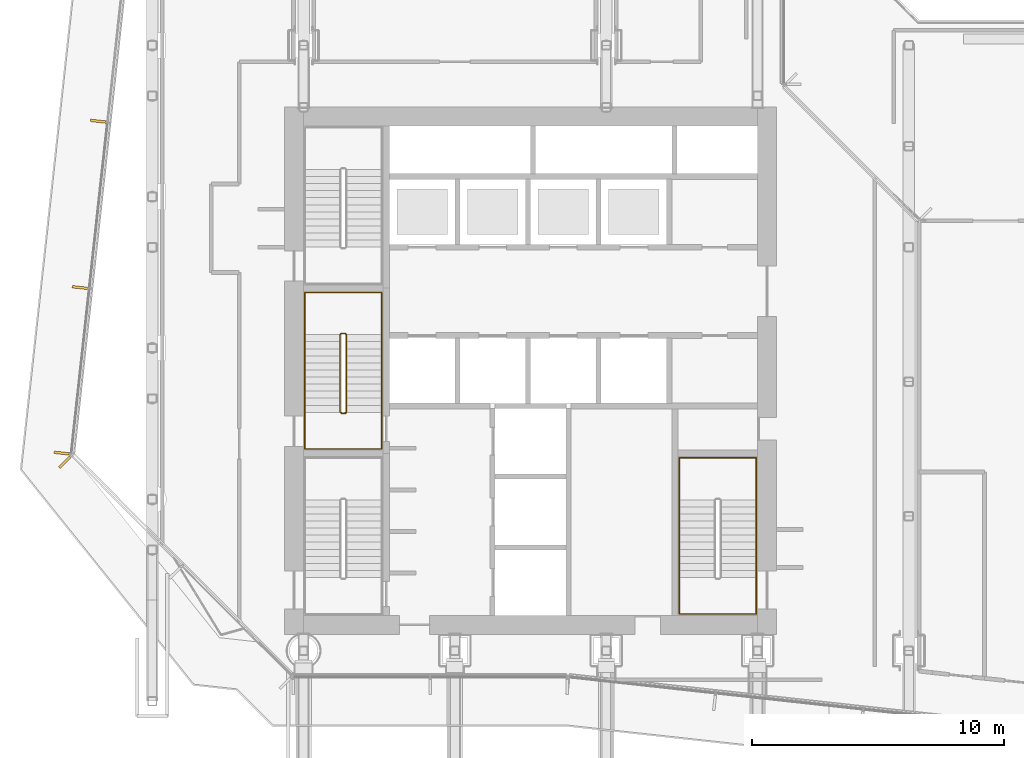
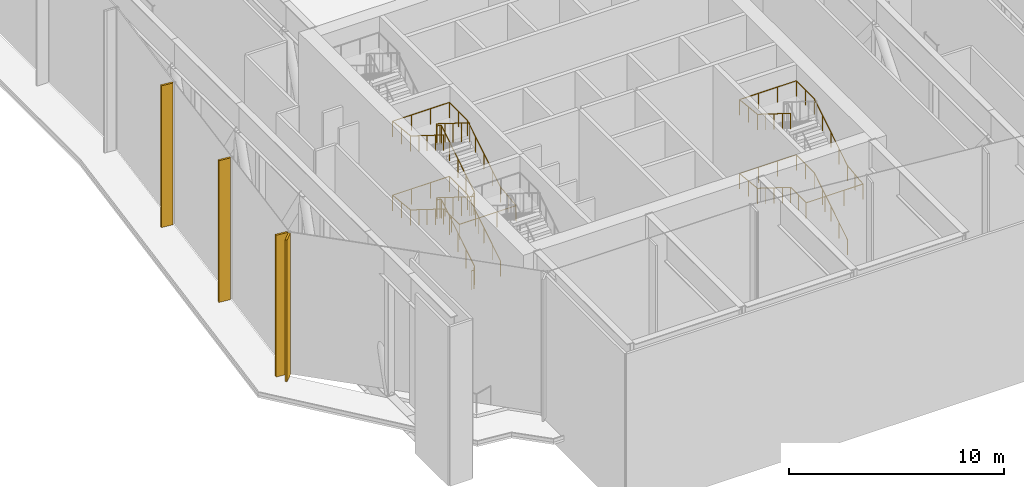
# One storey, part 19 of 24: 4 coverings, 3 railings.
"""IFC4 building model written with IfcOpenShell, lengths in metres."""

from ifc_helpers import new_model, si_unit, direction, frame, origin, origin_2d, place, context, subcontext, project, spatial, rectangle, circle, extrude, material, layer, layer_set, type_object, element, save


model = new_model("IFC4")

# Units and contexts
model_context = context("Model", 3, precision=1e-05, world=origin(), true_north=direction((0.0, 1.0)))
body_context = subcontext(model_context, "Body", "Model", "MODEL_VIEW")
ifc_project = project(units=[si_unit("LENGTHUNIT", "METRE"), si_unit("AREAUNIT", "SQUARE_METRE"), si_unit("VOLUMEUNIT", "CUBIC_METRE"), si_unit("PLANEANGLEUNIT", "RADIAN"), si_unit("MASSUNIT", "GRAM", prefix="KILO")], contexts=[model_context])

# Site, building, storey
site_placement = place(None, origin())
site = spatial("IfcSite", under=ifc_project, at=site_placement, CompositionType="ELEMENT")
building_placement = place(site_placement, origin())
building = spatial("IfcBuilding", under=site, at=building_placement, Name="Welwitschia Terrace Campus", CompositionType="ELEMENT")
storey_placement = place(building_placement, frame((0.0, 0.0, 138.199951171875)))
storey = spatial("IfcBuildingStorey", under=building, at=storey_placement, Name="L31", CompositionType="ELEMENT", Elevation=138.199951171875)

# Coverings
ifc_material_1 = material(Name="Bronze anodised aluminium", Category="aluminium")
ifc_layer = layer(ifc_material_1, 0.10009765625)
ifc_layer_set = layer_set([ifc_layer], Name="Bronze anodised aluminium")
covering_type = type_object("IfcCoveringType", Name="Bronze fin 100x600", PredefinedType="USERDEFINED", material=ifc_layer_set)
for number, where, z_axis, x_axis, name in (
    (1, (-3.465087890625, 11.472900390625, 0.0), (0.0, 0.0, 1.0), (0.705668480018, -0.70854216269, 0.0), "Fin L31.0.0"),
    (2, (-2.14990234375, 24.994384765625, 0.0), (0.0, 0.0, 1.0), (-0.108866874852, -0.994056338222, 0.0), "Fin L31.14.1"),
    (3, (-2.872314453125, 18.39892578125, 0.0), (0.0, 0.0, 1.0), (-0.108866874852, -0.994056338222, 0.0), "Fin L31.14.2"),
    (4, (-3.59130859375, 11.83349609375, 0.0), (0.0, 0.0, 1.0), (-0.108866874852, -0.994056338222, 0.0), "Fin L31.14.3"),
):
    element("IfcCovering", number, at=place(storey_placement, frame(where, z_axis=z_axis, x_axis=x_axis)), inside=storey, type_object=covering_type, Name=name, ObjectType="FIN", PredefinedType="USERDEFINED", context=body_context, shape_type="SweptSolid", body=[
        extrude(rectangle(XDim=0.10009765625, YDim=0.60009765625, at=origin_2d()), origin(), (0.0, 0.0, 1.0), 8.050048828125),
    ])

# Railings
ifc_material_2 = material(Name="Steel S355", Category="steel")
railing_type_1 = type_object("IfcRailingType", Name="Stair guard 1100", PredefinedType="GUARDRAIL", material=ifc_material_2)
railing_1_placement = place(storey_placement, frame((7.5, 13.39990234375, 0.0)))
element("IfcRailing", 5, at=railing_1_placement, inside=storey, type_object=railing_type_1, Name="L31 S3 stair guard", PredefinedType="GUARDRAIL", context=body_context, shape_type="SweptSolid", body=[
    extrude(circle(Radius=0.02392578125, at=origin_2d()), frame((0.0, 0.0, 1.076171875), z_axis=(1.0, 0.0, 0.0), x_axis=(0.0, 1.0, 0.0)), (0.0, 0.0, 1.0), 0.14990234375),
    extrude(circle(Radius=0.02392578125, at=origin_2d()), frame((0.14990234375, 0.0, 1.076171875), z_axis=(0.265065253269, 0.265065253269, 0.927081885822), x_axis=(-0.707106781187, 0.707106781187, 0.0)), (0.0, 0.0, 1.0), 0.188720703125),
    extrude(circle(Radius=0.02392578125, at=origin_2d()), frame((0.199951171875, 0.050048828125, 1.2509765625), z_axis=(0.0, 0.847998304005, 0.529998940003), x_axis=(-1.0, 0.0, 0.0)), (0.0, 0.0, 1.0), 3.632080078125),
    extrude(circle(Radius=0.02392578125, at=origin_2d()), frame((0.199951171875, 3.130126953125, 3.17626953125), z_axis=(-0.707106781187, 0.707106781187, 0.0), x_axis=(-0.707106781187, -0.707106781187, 0.0)), (0.0, 0.0, 1.0), 0.07080078125),
    extrude(circle(Radius=0.02392578125, at=origin_2d()), frame((0.14990234375, 3.18017578125, 3.17626953125), z_axis=(-1.0, 0.0, 0.0), x_axis=(0.0, -1.0, 0.0)), (0.0, 0.0, 1.0), 0.14990234375),
    extrude(circle(Radius=0.02392578125, at=origin_2d()), frame((0.0, 3.18017578125, 3.17626953125), z_axis=(-0.265065253269, -0.265065253269, 0.927081885822), x_axis=(0.707106781187, -0.707106781187, 0.0)), (0.0, 0.0, 1.0), 0.188720703125),
    extrude(circle(Radius=0.02392578125, at=origin_2d()), frame((-0.050048828125, 3.130126953125, 3.35107421875), z_axis=(0.0, -0.848028513186, 0.529950602248), x_axis=(1.0, 0.0, 0.0)), (0.0, 0.0, 1.0), 3.632080078125),
    extrude(circle(Radius=0.02392578125, at=origin_2d()), frame((-0.050048828125, 0.050048828125, 5.27587890625), z_axis=(0.970072785993, -0.242814311512, 0.0), x_axis=(0.242814311512, 0.970072785993, 0.0)), (0.0, 0.0, 1.0), 0.2060546875),
    extrude(circle(Radius=0.02392578125, at=origin_2d()), frame((0.14990234375, 0.0, 5.27587890625), z_axis=(-1.0, 0.0, 0.0), x_axis=(0.0, -1.0, 0.0)), (0.0, 0.0, 1.0), 0.14990234375),
    extrude(circle(Radius=0.02392578125, at=origin_2d()), frame((0.0, 0.0, 5.27587890625), z_axis=(0.739407315901, 0.185077533284, 0.647319957877), x_axis=(-0.242814311512, 0.970072785993, 0.0)), (0.0, 0.0, 1.0), 0.2705078125),
    extrude(circle(Radius=0.02392578125, at=origin_2d()), frame((0.199951171875, 0.050048828125, 5.451171875), z_axis=(0.0, 0.847998304005, 0.529998940003), x_axis=(-1.0, 0.0, 0.0)), (0.0, 0.0, 1.0), 3.632080078125),
    extrude(circle(Radius=0.02392578125, at=origin_2d()), frame((0.199951171875, 3.130126953125, 7.3759765625), z_axis=(-0.707106781187, 0.707106781187, 0.0), x_axis=(-0.707106781187, -0.707106781187, 0.0)), (0.0, 0.0, 1.0), 0.07080078125),
    extrude(circle(Radius=0.02392578125, at=origin_2d()), frame((0.14990234375, 3.18017578125, 7.3759765625), z_axis=(-1.0, 0.0, 0.0), x_axis=(0.0, -1.0, 0.0)), (0.0, 0.0, 1.0), 0.14990234375),
    extrude(circle(Radius=0.02392578125, at=origin_2d()), frame((0.0, 3.18017578125, 7.3759765625), z_axis=(-0.265065253269, -0.265065253269, 0.927081885822), x_axis=(0.707106781187, -0.707106781187, 0.0)), (0.0, 0.0, 1.0), 0.188720703125),
    extrude(circle(Radius=0.02392578125, at=origin_2d()), frame((-0.050048828125, 3.130126953125, 7.55126953125), z_axis=(0.0, -0.847998304005, 0.529998940003), x_axis=(1.0, 0.0, 0.0)), (0.0, 0.0, 1.0), 3.632080078125),
    extrude(circle(Radius=0.02099609375, at=origin_2d()), origin(), (0.0, 0.0, 1.0), 1.052001953125),
    extrude(circle(Radius=0.02099609375, at=origin_2d()), frame((0.14990234375, 0.0, 0.0)), (0.0, 0.0, 1.0), 1.052001953125),
    extrude(circle(Radius=0.02099609375, at=origin_2d()), frame((0.199951171875, 0.050048828125, 0.175048828125)), (0.0, 0.0, 1.0), 1.052001953125),
    extrude(circle(Radius=0.02099609375, at=origin_2d()), frame((0.199951171875, 0.820068359375, 0.65625)), (0.0, 0.0, 1.0), 1.052001953125),
    extrude(circle(Radius=0.02099609375, at=origin_2d()), frame((0.199951171875, 1.590087890625, 1.1376953125)), (0.0, 0.0, 1.0), 1.052001953125),
    extrude(circle(Radius=0.02099609375, at=origin_2d()), frame((0.199951171875, 2.360107421875, 1.618896484375)), (0.0, 0.0, 1.0), 1.052001953125),
    extrude(circle(Radius=0.02099609375, at=origin_2d()), frame((0.199951171875, 3.130126953125, 2.10009765625)), (0.0, 0.0, 1.0), 1.052001953125),
    extrude(circle(Radius=0.02099609375, at=origin_2d()), frame((0.14990234375, 3.18017578125, 2.10009765625)), (0.0, 0.0, 1.0), 1.052001953125),
    extrude(circle(Radius=0.02099609375, at=origin_2d()), frame((0.0, 3.18017578125, 2.10009765625)), (0.0, 0.0, 1.0), 1.052001953125),
    extrude(circle(Radius=0.02099609375, at=origin_2d()), frame((-0.050048828125, 3.130126953125, 2.275146484375)), (0.0, 0.0, 1.0), 1.052001953125),
    extrude(circle(Radius=0.02099609375, at=origin_2d()), frame((-0.050048828125, 2.360107421875, 2.75634765625)), (0.0, 0.0, 1.0), 1.052001953125),
    extrude(circle(Radius=0.02099609375, at=origin_2d()), frame((-0.050048828125, 1.590087890625, 3.237548828125)), (0.0, 0.0, 1.0), 1.052001953125),
    extrude(circle(Radius=0.02099609375, at=origin_2d()), frame((-0.050048828125, 0.820068359375, 3.71875)), (0.0, 0.0, 1.0), 1.052001953125),
    extrude(circle(Radius=0.02099609375, at=origin_2d()), frame((-0.050048828125, 0.050048828125, 4.199951171875)), (0.0, 0.0, 1.0), 1.052001953125),
    extrude(circle(Radius=0.02099609375, at=origin_2d()), frame((0.14990234375, 0.0, 4.199951171875)), (0.0, 0.0, 1.0), 1.052001953125),
    extrude(circle(Radius=0.02099609375, at=origin_2d()), frame((0.0, 0.0, 4.199951171875)), (0.0, 0.0, 1.0), 1.052001953125),
    extrude(circle(Radius=0.02099609375, at=origin_2d()), frame((0.199951171875, 0.050048828125, 4.375)), (0.0, 0.0, 1.0), 1.052001953125),
    extrude(circle(Radius=0.02099609375, at=origin_2d()), frame((0.199951171875, 0.820068359375, 4.856201171875)), (0.0, 0.0, 1.0), 1.052001953125),
    extrude(circle(Radius=0.02099609375, at=origin_2d()), frame((0.199951171875, 1.590087890625, 5.33740234375)), (0.0, 0.0, 1.0), 1.052001953125),
    extrude(circle(Radius=0.02099609375, at=origin_2d()), frame((0.199951171875, 2.360107421875, 5.81884765625)), (0.0, 0.0, 1.0), 1.052001953125),
    extrude(circle(Radius=0.02099609375, at=origin_2d()), frame((0.199951171875, 3.130126953125, 6.300048828125)), (0.0, 0.0, 1.0), 1.052001953125),
    extrude(circle(Radius=0.02099609375, at=origin_2d()), frame((0.14990234375, 3.18017578125, 6.300048828125)), (0.0, 0.0, 1.0), 1.052001953125),
    extrude(circle(Radius=0.02099609375, at=origin_2d()), frame((0.0, 3.18017578125, 6.300048828125)), (0.0, 0.0, 1.0), 1.052001953125),
    extrude(circle(Radius=0.02099609375, at=origin_2d()), frame((-0.050048828125, 3.130126953125, 6.47509765625)), (0.0, 0.0, 1.0), 1.052001953125),
    extrude(circle(Radius=0.02099609375, at=origin_2d()), frame((-0.050048828125, 2.360107421875, 6.956298828125)), (0.0, 0.0, 1.0), 1.052001953125),
    extrude(circle(Radius=0.02099609375, at=origin_2d()), frame((-0.050048828125, 1.590087890625, 7.4375)), (0.0, 0.0, 1.0), 1.052001953125),
    extrude(circle(Radius=0.02099609375, at=origin_2d()), frame((-0.050048828125, 0.820068359375, 7.9189453125)), (0.0, 0.0, 1.0), 1.052001953125),
    extrude(circle(Radius=0.02099609375, at=origin_2d()), frame((-0.050048828125, 0.050048828125, 8.400146484375)), (0.0, 0.0, 1.0), 1.052001953125),
])
ifc_material_3 = material(Name="Steel S355", Category="steel")
railing_type_2 = type_object("IfcRailingType", Name="Stair handrail 900", PredefinedType="HANDRAIL", material=ifc_material_3)
railing_2_placement = place(storey_placement, frame((9.10009765625, 13.449951171875, 0.175048828125)))
element("IfcRailing", 6, at=railing_2_placement, inside=storey, type_object=railing_type_2, Name="L31 S3 stair handrail", PredefinedType="HANDRAIL", context=body_context, shape_type="SweptSolid", body=[
    extrude(circle(Radius=0.02392578125, at=origin_2d()), frame((0.0, 0.0, 0.8759765625), z_axis=(0.0, 0.847998304005, 0.529998940003), x_axis=(-1.0, 0.0, 0.0)), (0.0, 0.0, 1.0), 3.632080078125),
    extrude(circle(Radius=0.02392578125, at=origin_2d()), frame((0.0, 3.080078125, 2.80078125), z_axis=(0.0, 1.0, 0.0), x_axis=(-1.0, 0.0, 0.0)), (0.0, 0.0, 1.0), 1.669921875),
    extrude(circle(Radius=0.02392578125, at=origin_2d()), frame((0.0, 4.75, 2.80078125), z_axis=(-1.0, 0.0, 0.0), x_axis=(0.0, -1.0, 0.0)), (0.0, 0.0, 1.0), 3.050048828125),
    extrude(circle(Radius=0.02392578125, at=origin_2d()), frame((-3.050048828125, 4.75, 2.80078125), z_axis=(0.0, -0.99455077262, 0.104253348533), x_axis=(1.0, 0.0, 0.0)), (0.0, 0.0, 1.0), 1.678955078125),
    extrude(circle(Radius=0.02392578125, at=origin_2d()), frame((-3.050048828125, 3.080078125, 2.97607421875), z_axis=(0.0, -0.848028513186, 0.529950602248), x_axis=(1.0, 0.0, 0.0)), (0.0, 0.0, 1.0), 3.632080078125),
    extrude(circle(Radius=0.02392578125, at=origin_2d()), frame((-3.050048828125, 0.0, 4.90087890625), z_axis=(0.0, -1.0, 0.0), x_axis=(1.0, 0.0, 0.0)), (0.0, 0.0, 1.0), 1.449951171875),
    extrude(circle(Radius=0.02392578125, at=origin_2d()), frame((-3.050048828125, -1.449951171875, 4.90087890625), z_axis=(1.0, 0.0, 0.0), x_axis=(0.0, 1.0, 0.0)), (0.0, 0.0, 1.0), 3.050048828125),
    extrude(circle(Radius=0.02392578125, at=origin_2d()), frame((0.0, -1.449951171875, 4.90087890625), z_axis=(0.0, 0.992791155251, 0.119857090136), x_axis=(-1.0, 0.0, 0.0)), (0.0, 0.0, 1.0), 1.46044921875),
    extrude(circle(Radius=0.02392578125, at=origin_2d()), frame((0.0, 0.0, 5.07568359375), z_axis=(0.0, 0.847998304005, 0.529998940003), x_axis=(-1.0, 0.0, 0.0)), (0.0, 0.0, 1.0), 3.632080078125),
    extrude(circle(Radius=0.02392578125, at=origin_2d()), frame((0.0, 3.080078125, 7.0009765625), z_axis=(0.0, 1.0, 0.0), x_axis=(-1.0, 0.0, 0.0)), (0.0, 0.0, 1.0), 1.669921875),
    extrude(circle(Radius=0.02392578125, at=origin_2d()), frame((0.0, 4.75, 7.0009765625), z_axis=(-1.0, 0.0, 0.0), x_axis=(0.0, -1.0, 0.0)), (0.0, 0.0, 1.0), 3.050048828125),
    extrude(circle(Radius=0.02392578125, at=origin_2d()), frame((-3.050048828125, 4.75, 7.0009765625), z_axis=(0.0, -0.99455077262, 0.104253348533), x_axis=(1.0, 0.0, 0.0)), (0.0, 0.0, 1.0), 1.678955078125),
    extrude(circle(Radius=0.02392578125, at=origin_2d()), frame((-3.050048828125, 3.080078125, 7.17578125), z_axis=(0.0, -0.847998304005, 0.529998940003), x_axis=(1.0, 0.0, 0.0)), (0.0, 0.0, 1.0), 3.632080078125),
    extrude(circle(Radius=0.02099609375, at=origin_2d()), origin(), (0.0, 0.0, 1.0), 0.851806640625),
    extrude(circle(Radius=0.02099609375, at=origin_2d()), frame((0.0, 0.77001953125, 0.481201171875)), (0.0, 0.0, 1.0), 0.851806640625),
    extrude(circle(Radius=0.02099609375, at=origin_2d()), frame((0.0, 1.5400390625, 0.96240234375)), (0.0, 0.0, 1.0), 0.851806640625),
    extrude(circle(Radius=0.02099609375, at=origin_2d()), frame((0.0, 2.31005859375, 1.44384765625)), (0.0, 0.0, 1.0), 0.851806640625),
    extrude(circle(Radius=0.02099609375, at=origin_2d()), frame((0.0, 3.080078125, 1.925048828125)), (0.0, 0.0, 1.0), 0.851806640625),
    extrude(circle(Radius=0.02099609375, at=origin_2d()), frame((0.0, 3.9150390625, 1.925048828125)), (0.0, 0.0, 1.0), 0.851806640625),
    extrude(circle(Radius=0.02099609375, at=origin_2d()), frame((0.0, 4.75, 1.925048828125)), (0.0, 0.0, 1.0), 0.851806640625),
    extrude(circle(Radius=0.02099609375, at=origin_2d()), frame((-1.0166015625, 4.75, 1.925048828125)), (0.0, 0.0, 1.0), 0.851806640625),
    extrude(circle(Radius=0.02099609375, at=origin_2d()), frame((-2.033447265625, 4.75, 1.925048828125)), (0.0, 0.0, 1.0), 0.851806640625),
    extrude(circle(Radius=0.02099609375, at=origin_2d()), frame((-3.050048828125, 4.75, 1.925048828125)), (0.0, 0.0, 1.0), 0.851806640625),
    extrude(circle(Radius=0.02099609375, at=origin_2d()), frame((-3.050048828125, 3.9150390625, 2.0126953125)), (0.0, 0.0, 1.0), 0.851806640625),
    extrude(circle(Radius=0.02099609375, at=origin_2d()), frame((-3.050048828125, 3.080078125, 2.10009765625)), (0.0, 0.0, 1.0), 0.851806640625),
    extrude(circle(Radius=0.02099609375, at=origin_2d()), frame((-3.050048828125, 2.31005859375, 2.581298828125)), (0.0, 0.0, 1.0), 0.851806640625),
    extrude(circle(Radius=0.02099609375, at=origin_2d()), frame((-3.050048828125, 1.5400390625, 3.0625)), (0.0, 0.0, 1.0), 0.851806640625),
    extrude(circle(Radius=0.02099609375, at=origin_2d()), frame((-3.050048828125, 0.77001953125, 3.543701171875)), (0.0, 0.0, 1.0), 0.851806640625),
    extrude(circle(Radius=0.02099609375, at=origin_2d()), frame((-3.050048828125, 0.0, 4.02490234375)), (0.0, 0.0, 1.0), 0.851806640625),
    extrude(circle(Radius=0.02099609375, at=origin_2d()), frame((-3.050048828125, -0.72509765625, 4.02490234375)), (0.0, 0.0, 1.0), 0.851806640625),
    extrude(circle(Radius=0.02099609375, at=origin_2d()), frame((-3.050048828125, -1.449951171875, 4.02490234375)), (0.0, 0.0, 1.0), 0.851806640625),
    extrude(circle(Radius=0.02099609375, at=origin_2d()), frame((-2.033447265625, -1.449951171875, 4.02490234375)), (0.0, 0.0, 1.0), 0.851806640625),
    extrude(circle(Radius=0.02099609375, at=origin_2d()), frame((-1.0166015625, -1.449951171875, 4.02490234375)), (0.0, 0.0, 1.0), 0.851806640625),
    extrude(circle(Radius=0.02099609375, at=origin_2d()), frame((0.0, -1.449951171875, 4.02490234375)), (0.0, 0.0, 1.0), 0.851806640625),
    extrude(circle(Radius=0.02099609375, at=origin_2d()), frame((0.0, -0.72509765625, 4.1123046875)), (0.0, 0.0, 1.0), 0.851806640625),
    extrude(circle(Radius=0.02099609375, at=origin_2d()), frame((0.0, 0.0, 4.199951171875)), (0.0, 0.0, 1.0), 0.851806640625),
    extrude(circle(Radius=0.02099609375, at=origin_2d()), frame((0.0, 0.77001953125, 4.68115234375)), (0.0, 0.0, 1.0), 0.851806640625),
    extrude(circle(Radius=0.02099609375, at=origin_2d()), frame((0.0, 1.5400390625, 5.16259765625)), (0.0, 0.0, 1.0), 0.851806640625),
    extrude(circle(Radius=0.02099609375, at=origin_2d()), frame((0.0, 2.31005859375, 5.643798828125)), (0.0, 0.0, 1.0), 0.851806640625),
    extrude(circle(Radius=0.02099609375, at=origin_2d()), frame((0.0, 3.080078125, 6.125)), (0.0, 0.0, 1.0), 0.851806640625),
    extrude(circle(Radius=0.02099609375, at=origin_2d()), frame((0.0, 3.9150390625, 6.125)), (0.0, 0.0, 1.0), 0.851806640625),
    extrude(circle(Radius=0.02099609375, at=origin_2d()), frame((0.0, 4.75, 6.125)), (0.0, 0.0, 1.0), 0.851806640625),
    extrude(circle(Radius=0.02099609375, at=origin_2d()), frame((-1.0166015625, 4.75, 6.125)), (0.0, 0.0, 1.0), 0.851806640625),
    extrude(circle(Radius=0.02099609375, at=origin_2d()), frame((-2.033447265625, 4.75, 6.125)), (0.0, 0.0, 1.0), 0.851806640625),
    extrude(circle(Radius=0.02099609375, at=origin_2d()), frame((-3.050048828125, 4.75, 6.125)), (0.0, 0.0, 1.0), 0.851806640625),
    extrude(circle(Radius=0.02099609375, at=origin_2d()), frame((-3.050048828125, 3.9150390625, 6.21240234375)), (0.0, 0.0, 1.0), 0.851806640625),
    extrude(circle(Radius=0.02099609375, at=origin_2d()), frame((-3.050048828125, 3.080078125, 6.300048828125)), (0.0, 0.0, 1.0), 0.851806640625),
    extrude(circle(Radius=0.02099609375, at=origin_2d()), frame((-3.050048828125, 2.31005859375, 6.78125)), (0.0, 0.0, 1.0), 0.851806640625),
    extrude(circle(Radius=0.02099609375, at=origin_2d()), frame((-3.050048828125, 1.5400390625, 7.2626953125)), (0.0, 0.0, 1.0), 0.851806640625),
    extrude(circle(Radius=0.02099609375, at=origin_2d()), frame((-3.050048828125, 0.77001953125, 7.743896484375)), (0.0, 0.0, 1.0), 0.851806640625),
    extrude(circle(Radius=0.02099609375, at=origin_2d()), frame((-3.050048828125, 0.0, 8.22509765625)), (0.0, 0.0, 1.0), 0.851806640625),
])
railing_3_placement = place(storey_placement, frame((23.949951171875, 6.89990234375, 0.175048828125)))
element("IfcRailing", 7, at=railing_3_placement, inside=storey, type_object=railing_type_2, Name="L31 S2 stair handrail", PredefinedType="HANDRAIL", context=body_context, shape_type="SweptSolid", body=[
    extrude(circle(Radius=0.02392578125, at=origin_2d()), frame((0.0, 0.0, 0.8759765625), z_axis=(0.0, 0.847998304005, 0.529998940003), x_axis=(-1.0, 0.0, 0.0)), (0.0, 0.0, 1.0), 3.632080078125),
    extrude(circle(Radius=0.02392578125, at=origin_2d()), frame((0.0, 3.080078125, 2.80078125), z_axis=(0.0, 1.0, 0.0), x_axis=(-1.0, 0.0, 0.0)), (0.0, 0.0, 1.0), 1.669921875),
    extrude(circle(Radius=0.02392578125, at=origin_2d()), frame((0.0, 4.75, 2.80078125), z_axis=(-1.0, 0.0, 0.0), x_axis=(0.0, -1.0, 0.0)), (0.0, 0.0, 1.0), 3.050048828125),
    extrude(circle(Radius=0.02392578125, at=origin_2d()), frame((-3.050048828125, 4.75, 2.80078125), z_axis=(0.0, -0.99455077262, 0.104253348533), x_axis=(1.0, 0.0, 0.0)), (0.0, 0.0, 1.0), 1.678955078125),
    extrude(circle(Radius=0.02392578125, at=origin_2d()), frame((-3.050048828125, 3.080078125, 2.97607421875), z_axis=(0.0, -0.848028513186, 0.529950602248), x_axis=(1.0, 0.0, 0.0)), (0.0, 0.0, 1.0), 3.632080078125),
    extrude(circle(Radius=0.02392578125, at=origin_2d()), frame((-3.050048828125, 0.0, 4.90087890625), z_axis=(0.0, -1.0, 0.0), x_axis=(1.0, 0.0, 0.0)), (0.0, 0.0, 1.0), 1.449951171875),
    extrude(circle(Radius=0.02392578125, at=origin_2d()), frame((-3.050048828125, -1.449951171875, 4.90087890625), z_axis=(1.0, 0.0, 0.0), x_axis=(0.0, 1.0, 0.0)), (0.0, 0.0, 1.0), 3.050048828125),
    extrude(circle(Radius=0.02392578125, at=origin_2d()), frame((0.0, -1.449951171875, 4.90087890625), z_axis=(0.0, 0.992791155251, 0.119857090136), x_axis=(-1.0, 0.0, 0.0)), (0.0, 0.0, 1.0), 1.46044921875),
    extrude(circle(Radius=0.02392578125, at=origin_2d()), frame((0.0, 0.0, 5.07568359375), z_axis=(0.0, 0.847998304005, 0.529998940003), x_axis=(-1.0, 0.0, 0.0)), (0.0, 0.0, 1.0), 3.632080078125),
    extrude(circle(Radius=0.02392578125, at=origin_2d()), frame((0.0, 3.080078125, 7.0009765625), z_axis=(0.0, 1.0, 0.0), x_axis=(-1.0, 0.0, 0.0)), (0.0, 0.0, 1.0), 1.669921875),
    extrude(circle(Radius=0.02392578125, at=origin_2d()), frame((0.0, 4.75, 7.0009765625), z_axis=(-1.0, 0.0, 0.0), x_axis=(0.0, -1.0, 0.0)), (0.0, 0.0, 1.0), 3.050048828125),
    extrude(circle(Radius=0.02392578125, at=origin_2d()), frame((-3.050048828125, 4.75, 7.0009765625), z_axis=(0.0, -0.99455077262, 0.104253348533), x_axis=(1.0, 0.0, 0.0)), (0.0, 0.0, 1.0), 1.678955078125),
    extrude(circle(Radius=0.02392578125, at=origin_2d()), frame((-3.050048828125, 3.080078125, 7.17578125), z_axis=(0.0, -0.847998304005, 0.529998940003), x_axis=(1.0, 0.0, 0.0)), (0.0, 0.0, 1.0), 3.632080078125),
    extrude(circle(Radius=0.02099609375, at=origin_2d()), origin(), (0.0, 0.0, 1.0), 0.851806640625),
    extrude(circle(Radius=0.02099609375, at=origin_2d()), frame((0.0, 0.77001953125, 0.481201171875)), (0.0, 0.0, 1.0), 0.851806640625),
    extrude(circle(Radius=0.02099609375, at=origin_2d()), frame((0.0, 1.5400390625, 0.96240234375)), (0.0, 0.0, 1.0), 0.851806640625),
    extrude(circle(Radius=0.02099609375, at=origin_2d()), frame((0.0, 2.31005859375, 1.44384765625)), (0.0, 0.0, 1.0), 0.851806640625),
    extrude(circle(Radius=0.02099609375, at=origin_2d()), frame((0.0, 3.080078125, 1.925048828125)), (0.0, 0.0, 1.0), 0.851806640625),
    extrude(circle(Radius=0.02099609375, at=origin_2d()), frame((0.0, 3.9150390625, 1.925048828125)), (0.0, 0.0, 1.0), 0.851806640625),
    extrude(circle(Radius=0.02099609375, at=origin_2d()), frame((0.0, 4.75, 1.925048828125)), (0.0, 0.0, 1.0), 0.851806640625),
    extrude(circle(Radius=0.02099609375, at=origin_2d()), frame((-1.0166015625, 4.75, 1.925048828125)), (0.0, 0.0, 1.0), 0.851806640625),
    extrude(circle(Radius=0.02099609375, at=origin_2d()), frame((-2.033447265625, 4.75, 1.925048828125)), (0.0, 0.0, 1.0), 0.851806640625),
    extrude(circle(Radius=0.02099609375, at=origin_2d()), frame((-3.050048828125, 4.75, 1.925048828125)), (0.0, 0.0, 1.0), 0.851806640625),
    extrude(circle(Radius=0.02099609375, at=origin_2d()), frame((-3.050048828125, 3.9150390625, 2.0126953125)), (0.0, 0.0, 1.0), 0.851806640625),
    extrude(circle(Radius=0.02099609375, at=origin_2d()), frame((-3.050048828125, 3.080078125, 2.10009765625)), (0.0, 0.0, 1.0), 0.851806640625),
    extrude(circle(Radius=0.02099609375, at=origin_2d()), frame((-3.050048828125, 2.31005859375, 2.581298828125)), (0.0, 0.0, 1.0), 0.851806640625),
    extrude(circle(Radius=0.02099609375, at=origin_2d()), frame((-3.050048828125, 1.5400390625, 3.0625)), (0.0, 0.0, 1.0), 0.851806640625),
    extrude(circle(Radius=0.02099609375, at=origin_2d()), frame((-3.050048828125, 0.77001953125, 3.543701171875)), (0.0, 0.0, 1.0), 0.851806640625),
    extrude(circle(Radius=0.02099609375, at=origin_2d()), frame((-3.050048828125, 0.0, 4.02490234375)), (0.0, 0.0, 1.0), 0.851806640625),
    extrude(circle(Radius=0.02099609375, at=origin_2d()), frame((-3.050048828125, -0.72509765625, 4.02490234375)), (0.0, 0.0, 1.0), 0.851806640625),
    extrude(circle(Radius=0.02099609375, at=origin_2d()), frame((-3.050048828125, -1.449951171875, 4.02490234375)), (0.0, 0.0, 1.0), 0.851806640625),
    extrude(circle(Radius=0.02099609375, at=origin_2d()), frame((-2.033447265625, -1.449951171875, 4.02490234375)), (0.0, 0.0, 1.0), 0.851806640625),
    extrude(circle(Radius=0.02099609375, at=origin_2d()), frame((-1.0166015625, -1.449951171875, 4.02490234375)), (0.0, 0.0, 1.0), 0.851806640625),
    extrude(circle(Radius=0.02099609375, at=origin_2d()), frame((0.0, -1.449951171875, 4.02490234375)), (0.0, 0.0, 1.0), 0.851806640625),
    extrude(circle(Radius=0.02099609375, at=origin_2d()), frame((0.0, -0.72509765625, 4.1123046875)), (0.0, 0.0, 1.0), 0.851806640625),
    extrude(circle(Radius=0.02099609375, at=origin_2d()), frame((0.0, 0.0, 4.199951171875)), (0.0, 0.0, 1.0), 0.851806640625),
    extrude(circle(Radius=0.02099609375, at=origin_2d()), frame((0.0, 0.77001953125, 4.68115234375)), (0.0, 0.0, 1.0), 0.851806640625),
    extrude(circle(Radius=0.02099609375, at=origin_2d()), frame((0.0, 1.5400390625, 5.16259765625)), (0.0, 0.0, 1.0), 0.851806640625),
    extrude(circle(Radius=0.02099609375, at=origin_2d()), frame((0.0, 2.31005859375, 5.643798828125)), (0.0, 0.0, 1.0), 0.851806640625),
    extrude(circle(Radius=0.02099609375, at=origin_2d()), frame((0.0, 3.080078125, 6.125)), (0.0, 0.0, 1.0), 0.851806640625),
    extrude(circle(Radius=0.02099609375, at=origin_2d()), frame((0.0, 3.9150390625, 6.125)), (0.0, 0.0, 1.0), 0.851806640625),
    extrude(circle(Radius=0.02099609375, at=origin_2d()), frame((0.0, 4.75, 6.125)), (0.0, 0.0, 1.0), 0.851806640625),
    extrude(circle(Radius=0.02099609375, at=origin_2d()), frame((-1.0166015625, 4.75, 6.125)), (0.0, 0.0, 1.0), 0.851806640625),
    extrude(circle(Radius=0.02099609375, at=origin_2d()), frame((-2.033447265625, 4.75, 6.125)), (0.0, 0.0, 1.0), 0.851806640625),
    extrude(circle(Radius=0.02099609375, at=origin_2d()), frame((-3.050048828125, 4.75, 6.125)), (0.0, 0.0, 1.0), 0.851806640625),
    extrude(circle(Radius=0.02099609375, at=origin_2d()), frame((-3.050048828125, 3.9150390625, 6.21240234375)), (0.0, 0.0, 1.0), 0.851806640625),
    extrude(circle(Radius=0.02099609375, at=origin_2d()), frame((-3.050048828125, 3.080078125, 6.300048828125)), (0.0, 0.0, 1.0), 0.851806640625),
    extrude(circle(Radius=0.02099609375, at=origin_2d()), frame((-3.050048828125, 2.31005859375, 6.78125)), (0.0, 0.0, 1.0), 0.851806640625),
    extrude(circle(Radius=0.02099609375, at=origin_2d()), frame((-3.050048828125, 1.5400390625, 7.2626953125)), (0.0, 0.0, 1.0), 0.851806640625),
    extrude(circle(Radius=0.02099609375, at=origin_2d()), frame((-3.050048828125, 0.77001953125, 7.743896484375)), (0.0, 0.0, 1.0), 0.851806640625),
    extrude(circle(Radius=0.02099609375, at=origin_2d()), frame((-3.050048828125, 0.0, 8.22509765625)), (0.0, 0.0, 1.0), 0.851806640625),
])

save(model, "model.ifc")
